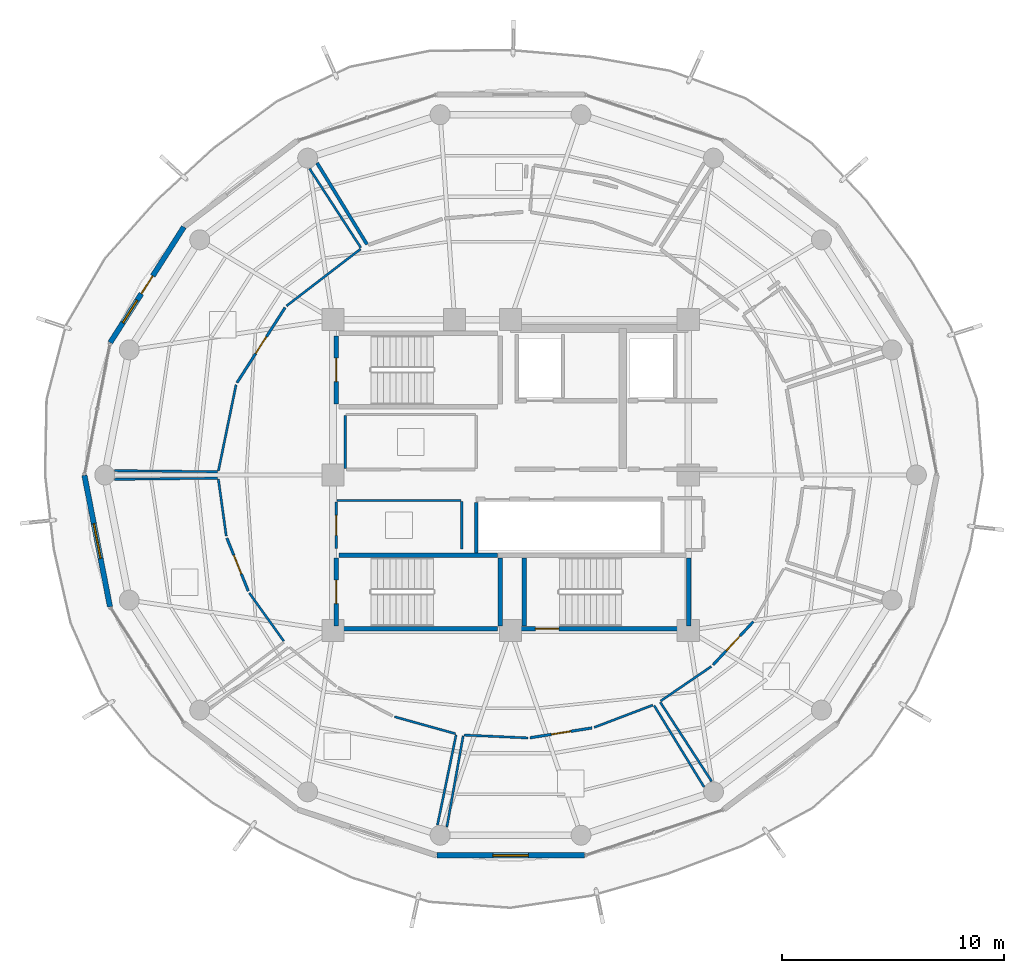
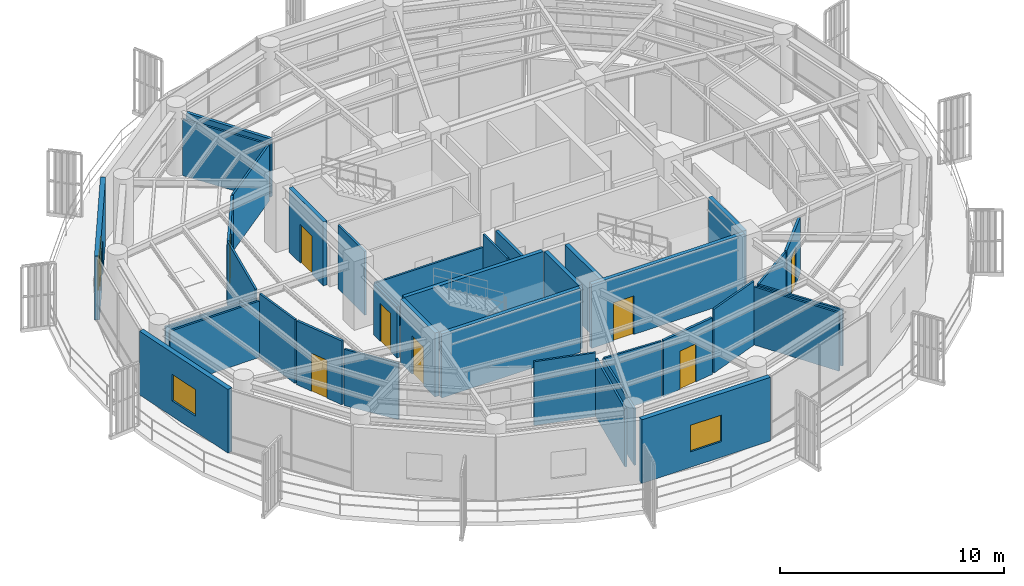
# One storey, part 15 of 22: 36 walls, 9 doors, 3 windows, 12 openings.
"""IFC4 building model written with IfcOpenShell, lengths in metres."""

from ifc_helpers import new_model, si_unit, direction, frame, frame_2d, origin, place, context, subcontext, project, spatial, rectangle, extrude, material, layer, layer_set, type_object, element, fill, save


model = new_model("IFC4")

# Units and contexts
model_context = context("Model", 3, precision=1e-05, world=origin(), true_north=direction((0.0, 1.0)))
body_context = subcontext(model_context, "Body", "Model", "MODEL_VIEW")
ifc_project = project(units=[si_unit("LENGTHUNIT", "METRE"), si_unit("AREAUNIT", "SQUARE_METRE"), si_unit("VOLUMEUNIT", "CUBIC_METRE"), si_unit("PLANEANGLEUNIT", "RADIAN"), si_unit("MASSUNIT", "GRAM", prefix="KILO")], contexts=[model_context])

# Site, building, storey
site_placement = place(None, origin())
site = spatial("IfcSite", under=ifc_project, at=site_placement, CompositionType="ELEMENT")
building_placement = place(site_placement, origin())
building = spatial("IfcBuilding", under=site, at=building_placement, Name="Kelanora Arch Commons", CompositionType="ELEMENT")
storey_placement = place(building_placement, frame((0.0, 0.0, 259.949951171875)))
storey = spatial("IfcBuildingStorey", under=building, at=storey_placement, Name="L66", CompositionType="ELEMENT", Elevation=259.949951171875)

# Walls
ifc_material_1 = material(Name="Autoclaved aerated concrete blockwork with fire plaster", Category="masonry")
ifc_layer_1 = layer(ifc_material_1, 0.14990234375)
ifc_layer_set_1 = layer_set([ifc_layer_1], Name="Autoclaved aerated concrete blockwork with fire plaster")
wall_type_1 = type_object("IfcWallType", Name="W-COMP-150", PredefinedType="PARTITIONING", material=ifc_layer_set_1)
wall_1_placement = place(storey_placement, frame((72.4599609375, 54.47998046875, 0.0), z_axis=(0.0, 0.0, 1.0), x_axis=(0.0, 1.0, 0.0)))
element("IfcWall", 1, at=wall_1_placement, inside=storey, type_object=wall_type_1, Name="South Lift Bank West Wall L66", PredefinedType="PARTITIONING", context=body_context, shape_type="SweptSolid", body=[
    extrude(rectangle(XDim=2.2900390625, YDim=0.14990234375, at=frame_2d((1.14501953125, 0.0))), origin(), (0.0, 0.0, 1.0), 3.47998046875),
])
wall_2_placement = place(storey_placement, frame((67.5341796875, 68.385009765625, 0.0), z_axis=(0.0, 0.0, 1.0), x_axis=(-0.522784059663, 0.852465147066, 0.0)))
element("IfcWall", 2, at=wall_2_placement, inside=storey, type_object=wall_type_1, Name="Co-Living Studio L66-02 Enclosure Partition 3", PredefinedType="PARTITIONING", context=body_context, shape_type="SweptSolid", body=[
    extrude(rectangle(XDim=4.30615234375, YDim=0.14990234375, at=frame_2d((2.153076171875, 0.0))), origin(), (0.0, 0.0, 1.0), 3.175048828125),
])

# Wall, openings, door, window
ifc_material_2 = material(Name="Precast concrete C40/50 upper-zone terracotta rainscreen", Category="masonry")
ifc_layer_2 = layer(ifc_material_2, 0.239990234375)
ifc_layer_set_2 = layer_set([ifc_layer_2], Name="Precast concrete C40/50 upper-zone terracotta rainscreen")
wall_type_2 = type_object("IfcWallType", Name="W-EXT-TC2", PredefinedType="SOLIDWALL", material=ifc_layer_set_2)
wall_3_placement = place(storey_placement, frame((59.28369140625, 69.171875, 0.0), z_axis=(0.0, 0.0, 1.0), x_axis=(-0.537271968456, -0.843409053728, 0.0)))
wall_3 = element("IfcWall", 3, at=wall_3_placement, inside=storey, type_object=wall_type_2, Name="Terracotta Exterior Wall L66-B07", PredefinedType="SOLIDWALL", context=body_context, shape_type="SweptSolid", body=[
    extrude(rectangle(XDim=6.175048828125, YDim=0.239990234375, at=frame_2d((3.08740234375, 0.0))), origin(), (0.0, 0.0, 1.0), 3.47509765625),
])
opening_1_placement = place(wall_3_placement, frame((2.613037109375, 0.0, 0.0)))
opening_1 = element("IfcOpeningElement", 4, at=opening_1_placement, cuts=wall_3, Name="Opening DB-01", PredefinedType="OPENING", context=body_context, shape_type="SweptSolid", body=[
    extrude(rectangle(XDim=0.949951171875, YDim=2.10009765625, at=frame_2d((0.47509765625, 1.050048828125))), frame((0.0, 0.1298828125, 0.0), z_axis=(0.0, -1.0, 0.0), x_axis=(1.0, 0.0, 0.0)), (0.0, 0.0, 1.0), 0.260009765625),
])
opening_2_placement = place(wall_3_placement, frame((3.9130859375, 0.0, 0.85009765625)))
opening_2 = element("IfcOpeningElement", 5, at=opening_2_placement, cuts=wall_3, Name="Opening WN-02", PredefinedType="OPENING", context=body_context, shape_type="SweptSolid", body=[
    extrude(rectangle(XDim=1.199951171875, YDim=1.449951171875, at=frame_2d((0.60009765625, 0.72509765625))), frame((0.0, 0.1298828125, 0.0), z_axis=(0.0, -1.0, 0.0), x_axis=(1.0, 0.0, 0.0)), (0.0, 0.0, 1.0), 0.260009765625),
])
ifc_material_3 = material(Name="Terracotta-aluminium thermally broken glazed balcony door", Category="masonry")
door_type_1 = type_object("IfcDoorType", Name="D-BAL-10", OperationType="NOTDEFINED", PredefinedType="DOOR", material=ifc_material_3)
door_1_placement = place(opening_1_placement, frame((0.949951171875, 0.0, 0.0), z_axis=(0.0, 0.0, 1.0), x_axis=(-1.0, 0.0, 0.0)))
door_1 = element("IfcDoor", 6, at=door_1_placement, inside=storey, type_object=door_type_1, Name="Wave Balcony Door L66-B07", OperationType="SINGLE_SWING_RIGHT", OverallHeight=2.10009765625, OverallWidth=0.949951171875, PredefinedType="DOOR", context=body_context, shape_type="SweptSolid", body=[
    extrude(rectangle(XDim=0.949951171875, YDim=2.10009765625, at=frame_2d((0.47509765625, 1.050048828125))), frame((0.0, 0.02490234375, 0.0), z_axis=(0.0, -1.0, 0.0), x_axis=(1.0, 0.0, 0.0)), (0.0, 0.0, 1.0), 0.050048828125),
])
fill(opening_1, door_1)
ifc_material_4 = material(Name="Terracotta-anodised aluminium frame with operable awning sash", Category="masonry")
window_type_1 = type_object("IfcWindowType", Name="WIN-CL-12", PartitioningType="SINGLE_PANEL", PredefinedType="WINDOW", material=ifc_material_4)
window_1_placement = place(opening_2_placement, origin())
window_1 = element("IfcWindow", 7, at=window_1_placement, inside=storey, type_object=window_type_1, Name="Co-Living Operable Window L66-B07", OverallHeight=1.449951171875, OverallWidth=1.199951171875, PartitioningType="SINGLE_PANEL", PredefinedType="WINDOW", context=body_context, shape_type="SweptSolid", body=[
    extrude(rectangle(XDim=1.199951171875, YDim=1.449951171875, at=frame_2d((0.60009765625, 0.72509765625))), frame((0.0, 0.030029296875, 0.0), z_axis=(0.0, -1.0, 0.0), x_axis=(1.0, 0.0, 0.0)), (0.0, 0.0, 1.0), 0.06005859375),
])
fill(opening_2, window_1)

# Wall, opening, window
wall_4_placement = place(storey_placement, frame((54.802978515625, 57.9853515625, 0.0), z_axis=(0.0, 0.0, 1.0), x_axis=(0.190969309115, -0.981596008028, 0.0)))
wall_4 = element("IfcWall", 8, at=wall_4_placement, inside=storey, type_object=wall_type_2, Name="Terracotta Exterior Wall L66-B09", PredefinedType="SOLIDWALL", context=body_context, shape_type="SweptSolid", body=[
    extrude(rectangle(XDim=6.032958984375, YDim=0.239990234375, at=frame_2d((3.0166015625, 0.0))), origin(), (0.0, 0.0, 1.0), 3.47509765625),
])
opening_3_placement = place(wall_4_placement, frame((2.216064453125, 0.0, 0.85009765625)))
opening_3 = element("IfcOpeningElement", 9, at=opening_3_placement, cuts=wall_4, Name="Opening WN-01", PredefinedType="OPENING", context=body_context, shape_type="SweptSolid", body=[
    extrude(rectangle(XDim=1.60009765625, YDim=1.449951171875, at=frame_2d((0.800048828125, 0.72509765625))), frame((0.0, 0.1298828125, 0.0), z_axis=(0.0, -1.0, 0.0), x_axis=(1.0, 0.0, 0.0)), (0.0, 0.0, 1.0), 0.260009765625),
])
ifc_material_5 = material(Name="Terracotta-anodised aluminium frame with operable low-E glazing", Category="masonry")
window_type_2 = type_object("IfcWindowType", Name="WIN-CL-18", PartitioningType="DOUBLE_PANEL_VERTICAL", PredefinedType="WINDOW", material=ifc_material_5)
window_2_placement = place(opening_3_placement, origin())
window_2 = element("IfcWindow", 10, at=window_2_placement, inside=storey, type_object=window_type_2, Name="Co-Living Operable Window L66-B09", OverallHeight=1.449951171875, OverallWidth=1.60009765625, PartitioningType="SINGLE_PANEL", PredefinedType="WINDOW", context=body_context, shape_type="SweptSolid", body=[
    extrude(rectangle(XDim=1.60009765625, YDim=1.449951171875, at=frame_2d((0.800048828125, 0.72509765625))), frame((0.0, 0.030029296875, 0.0), z_axis=(0.0, -1.0, 0.0), x_axis=(1.0, 0.0, 0.0)), (0.0, 0.0, 1.0), 0.06005859375),
])
fill(opening_3, window_2)

wall_5_placement = place(storey_placement, frame((70.680908203125, 40.8642578125, 0.0), z_axis=(0.0, 0.0, 1.0), x_axis=(1.0, 0.0, 0.0)))
wall_5 = element("IfcWall", 11, at=wall_5_placement, inside=storey, type_object=wall_type_2, Name="Terracotta Exterior Wall L66-B13", PredefinedType="SOLIDWALL", context=body_context, shape_type="SweptSolid", body=[
    extrude(rectangle(XDim=6.63818359375, YDim=0.239990234375, at=frame_2d((3.319091796875, 0.0))), origin(), (0.0, 0.0, 1.0), 3.47509765625),
])
opening_4_placement = place(wall_5_placement, frame((2.51904296875, 0.0, 0.85009765625)))
opening_4 = element("IfcOpeningElement", 12, at=opening_4_placement, cuts=wall_5, Name="Opening WN-01", PredefinedType="OPENING", context=body_context, shape_type="SweptSolid", body=[
    extrude(rectangle(XDim=1.60009765625, YDim=1.449951171875, at=frame_2d((0.800048828125, 0.72509765625))), frame((0.0, 0.1298828125, 0.0), z_axis=(0.0, -1.0, 0.0), x_axis=(1.0, 0.0, 0.0)), (0.0, 0.0, 1.0), 0.260009765625),
])
window_3_placement = place(opening_4_placement, origin())
window_3 = element("IfcWindow", 13, at=window_3_placement, inside=storey, type_object=window_type_2, Name="Co-Living Operable Window L66-B13", OverallHeight=1.449951171875, OverallWidth=1.60009765625, PartitioningType="SINGLE_PANEL", PredefinedType="WINDOW", context=body_context, shape_type="SweptSolid", body=[
    extrude(rectangle(XDim=1.60009765625, YDim=1.449951171875, at=frame_2d((0.800048828125, 0.72509765625))), frame((0.0, 0.030029296875, 0.0), z_axis=(0.0, -1.0, 0.0), x_axis=(1.0, 0.0, 0.0)), (0.0, 0.0, 1.0), 0.06005859375),
])
fill(opening_4, window_3)

# Walls
ifc_material_6 = material(Name="Lightweight fire-rated acoustic stud partition")
ifc_layer_3 = layer(ifc_material_6, 0.10009765625)
ifc_layer_set_3 = layer_set([ifc_layer_3], Name="Lightweight fire-rated acoustic stud partition")
wall_type_3 = type_object("IfcWallType", Name="W-PART-100", PredefinedType="PARTITIONING", material=ifc_layer_set_3)
wall_6_placement = place(storey_placement, frame((66.550048828125, 60.679931640625, 0.0), z_axis=(0.0, 0.0, 1.0), x_axis=(0.0, -1.0, 0.0)))
element("IfcWall", 14, at=wall_6_placement, inside=storey, type_object=wall_type_3, Name="Reclaimed Core Study Pod Lounge L66 Enclosure Partition 4", PredefinedType="PARTITIONING", context=body_context, shape_type="SweptSolid", body=[
    extrude(rectangle(XDim=2.389892578125, YDim=0.10009765625, at=frame_2d((1.19482421875, 0.0))), origin(), (0.0, 0.0, 1.0), 3.47998046875),
])
wall_7_placement = place(storey_placement, frame((71.800048828125, 54.659912109375, 0.0), z_axis=(0.0, 0.0, 1.0), x_axis=(0.0, 1.0, 0.0)))
element("IfcWall", 15, at=wall_7_placement, inside=storey, type_object=wall_type_3, Name="Reclaimed Core High-Zone Pantry and Copy Room L66 Enclosure Partition 2", PredefinedType="PARTITIONING", context=body_context, shape_type="SweptSolid", body=[
    extrude(rectangle(XDim=2.150146484375, YDim=0.10009765625, at=frame_2d((1.0751953125, 0.0))), origin(), (0.0, 0.0, 1.0), 3.47998046875),
])
wall_8_placement = place(storey_placement, frame((71.760009765625, 56.85009765625, 0.0), z_axis=(0.0, 0.0, 1.0), x_axis=(-1.0, 0.0, 0.0)))
element("IfcWall", 16, at=wall_8_placement, inside=storey, type_object=wall_type_3, Name="Reclaimed Core High-Zone Pantry and Copy Room L66 Enclosure Partition 3", PredefinedType="PARTITIONING", context=body_context, shape_type="SweptSolid", body=[
    extrude(rectangle(XDim=5.570068359375, YDim=0.10009765625, at=frame_2d((2.78515625, 0.0))), origin(), (0.0, 0.0, 1.0), 2.775146484375),
])
wall_9_placement = place(storey_placement, frame((67.244384765625, 68.181640625, 0.0), z_axis=(0.0, 0.0, 1.0), x_axis=(-0.792820246885, -0.609455540733, 0.0)))
element("IfcWall", 17, at=wall_9_placement, inside=storey, type_object=wall_type_3, Name="Communal Dining and Social Hall L66-03 Enclosure Partition 1", PredefinedType="PARTITIONING", context=body_context, shape_type="SweptSolid", body=[
    extrude(rectangle(XDim=4.207275390625, YDim=0.10009765625, at=frame_2d((2.103515625, 0.0))), origin(), (0.0, 0.0, 1.0), 3.074951171875),
])
wall_10_placement = place(storey_placement, frame((61.635009765625, 62.06591796875, 0.0), z_axis=(0.0, 0.0, 1.0), x_axis=(-0.200853183429, -0.979621354762, 0.0)))
element("IfcWall", 18, at=wall_10_placement, inside=storey, type_object=wall_type_3, Name="Communal Dining and Social Hall L66-03 Enclosure Partition 3", PredefinedType="PARTITIONING", context=body_context, shape_type="SweptSolid", body=[
    extrude(rectangle(XDim=3.962646484375, YDim=0.10009765625, at=frame_2d((1.9814453125, 0.0))), origin(), (0.0, 0.0, 1.0), 3.47998046875),
])
wall_11_placement = place(storey_placement, frame((60.791015625, 58.1455078125, 0.0), z_axis=(0.0, 0.0, 1.0), x_axis=(-0.999937174585, 0.01120923205, 0.0)))
element("IfcWall", 19, at=wall_11_placement, inside=storey, type_object=wall_type_3, Name="Communal Dining and Social Hall L66-03 Enclosure Partition 4", PredefinedType="PARTITIONING", context=body_context, shape_type="SweptSolid", body=[
    extrude(rectangle(XDim=4.63916015625, YDim=0.10009765625, at=frame_2d((2.319580078125, 0.0))), origin(), (0.0, 0.0, 1.0), 3.074951171875),
])
wall_12_placement = place(storey_placement, frame((64.941650390625, 71.80419921875, 0.0), z_axis=(0.0, 0.0, 1.0), x_axis=(0.544234825024, -0.838932926539, 0.0)))
element("IfcWall", 20, at=wall_12_placement, inside=storey, type_object=wall_type_3, Name="Communal Dining and Social Hall L66-03 Enclosure Partition 8", PredefinedType="PARTITIONING", context=body_context, shape_type="SweptSolid", body=[
    extrude(rectangle(XDim=4.2490234375, YDim=0.10009765625, at=frame_2d((2.12451171875, 0.0))), origin(), (0.0, 0.0, 1.0), 3.074951171875),
])
wall_13_placement = place(storey_placement, frame((60.83642578125, 57.8154296875, 0.0), z_axis=(0.0, 0.0, 1.0), x_axis=(0.137359832701, -0.990521214493, 0.0)))
element("IfcWall", 21, at=wall_13_placement, inside=storey, type_object=wall_type_3, Name="Social Sky Lounge L66-04 Enclosure Partition 1", PredefinedType="PARTITIONING", context=body_context, shape_type="SweptSolid", body=[
    extrude(rectangle(XDim=2.584228515625, YDim=0.10009765625, at=frame_2d((1.2919921875, 0.0))), origin(), (0.0, 0.0, 1.0), 3.47998046875),
])
wall_14_placement = place(storey_placement, frame((62.230224609375, 52.68359375, 0.0), z_axis=(0.0, 0.0, 1.0), x_axis=(0.582725386778, -0.812669135383, 0.0)))
element("IfcWall", 22, at=wall_14_placement, inside=storey, type_object=wall_type_3, Name="Social Sky Lounge L66-04 Enclosure Partition 3", PredefinedType="PARTITIONING", context=body_context, shape_type="SweptSolid", body=[
    extrude(rectangle(XDim=2.669189453125, YDim=0.10009765625, at=frame_2d((1.33447265625, 0.0))), origin(), (0.0, 0.0, 1.0), 3.074951171875),
])
wall_15_placement = place(storey_placement, frame((56.152099609375, 57.802490234375, 0.0), z_axis=(0.0, 0.0, 1.0), x_axis=(0.999937174585, 0.01120923205, 0.0)))
element("IfcWall", 23, at=wall_15_placement, inside=storey, type_object=wall_type_3, Name="Social Sky Lounge L66-04 Enclosure Partition 8", PredefinedType="PARTITIONING", context=body_context, shape_type="SweptSolid", body=[
    extrude(rectangle(XDim=4.63916015625, YDim=0.10009765625, at=frame_2d((2.319580078125, 0.0))), origin(), (0.0, 0.0, 1.0), 3.074951171875),
])
wall_16_placement = place(storey_placement, frame((68.7724609375, 47.109375, 0.0), z_axis=(0.0, 0.0, 1.0), x_axis=(0.963478601256, -0.267785333659, 0.0)))
element("IfcWall", 24, at=wall_16_placement, inside=storey, type_object=wall_type_3, Name="Social Sky Lounge L66-05 Enclosure Partition 3", PredefinedType="PARTITIONING", context=body_context, shape_type="SweptSolid", body=[
    extrude(rectangle(XDim=2.84814453125, YDim=0.10009765625, at=frame_2d((1.424072265625, 0.0))), origin(), (0.0, 0.0, 1.0), 3.47998046875),
])
wall_17_placement = place(storey_placement, frame((71.546875, 46.296875, 0.0), z_axis=(0.0, 0.0, 1.0), x_axis=(-0.202308141573, -0.979321916355, 0.0)))
element("IfcWall", 25, at=wall_17_placement, inside=storey, type_object=wall_type_3, Name="Social Sky Lounge L66-05 Enclosure Partition 4", PredefinedType="PARTITIONING", context=body_context, shape_type="SweptSolid", body=[
    extrude(rectangle(XDim=4.152587890625, YDim=0.10009765625, at=frame_2d((2.076171875, 0.0))), origin(), (0.0, 0.0, 1.0), 3.175048828125),
])
wall_18_placement = place(storey_placement, frame((71.912109375, 46.2841796875, 0.0), z_axis=(0.0, 0.0, 1.0), x_axis=(0.998983047325, -0.045087372484, 0.0)))
element("IfcWall", 26, at=wall_18_placement, inside=storey, type_object=wall_type_3, Name="Quiet Seminar Study Room L66-06 Enclosure Partition 1", PredefinedType="PARTITIONING", context=body_context, shape_type="SweptSolid", body=[
    extrude(rectangle(XDim=2.869873046875, YDim=0.10009765625, at=frame_2d((1.43505859375, 0.0))), origin(), (0.0, 0.0, 1.0), 3.074951171875),
])
wall_19_placement = place(storey_placement, frame((77.763427734375, 46.629150390625, 0.0), z_axis=(0.0, 0.0, 1.0), x_axis=(0.934691278896, 0.355460564839, 0.0)))
element("IfcWall", 27, at=wall_19_placement, inside=storey, type_object=wall_type_3, Name="Quiet Seminar Study Room L66-06 Enclosure Partition 3", PredefinedType="PARTITIONING", context=body_context, shape_type="SweptSolid", body=[
    extrude(rectangle(XDim=2.8291015625, YDim=0.10009765625, at=frame_2d((1.41455078125, 0.0))), origin(), (0.0, 0.0, 1.0), 3.47998046875),
])
wall_20_placement = place(storey_placement, frame((80.4658203125, 47.614990234375, 0.0), z_axis=(0.0, 0.0, 1.0), x_axis=(0.522784059663, -0.852465147066, 0.0)))
element("IfcWall", 28, at=wall_20_placement, inside=storey, type_object=wall_type_3, Name="Quiet Seminar Study Room L66-06 Enclosure Partition 4", PredefinedType="PARTITIONING", context=body_context, shape_type="SweptSolid", body=[
    extrude(rectangle(XDim=4.30615234375, YDim=0.10009765625, at=frame_2d((2.153076171875, 0.0))), origin(), (0.0, 0.0, 1.0), 3.175048828125),
])
wall_21_placement = place(storey_placement, frame((71.129150390625, 42.1357421875, 0.0), z_axis=(0.0, 0.0, 1.0), x_axis=(0.176199339585, 0.984354505618, 0.0)))
element("IfcWall", 29, at=wall_21_placement, inside=storey, type_object=wall_type_3, Name="Quiet Seminar Study Room L66-06 Enclosure Partition 8", PredefinedType="PARTITIONING", context=body_context, shape_type="SweptSolid", body=[
    extrude(rectangle(XDim=4.17626953125, YDim=0.10009765625, at=frame_2d((2.088134765625, 0.0))), origin(), (0.0, 0.0, 1.0), 3.074951171875),
])
wall_22_placement = place(storey_placement, frame((80.757080078125, 47.81640625, 0.0), z_axis=(0.0, 0.0, 1.0), x_axis=(0.826087380575, 0.563542047814, 0.0)))
element("IfcWall", 30, at=wall_22_placement, inside=storey, type_object=wall_type_3, Name="Communal Dining and Social Hall L66-07 Enclosure Partition 1", PredefinedType="PARTITIONING", context=body_context, shape_type="SweptSolid", body=[
    extrude(rectangle(XDim=2.768310546875, YDim=0.10009765625, at=frame_2d((1.38427734375, 0.0))), origin(), (0.0, 0.0, 1.0), 3.074951171875),
])
wall_23_placement = place(storey_placement, frame((83.058349609375, 44.19580078125, 0.0), z_axis=(0.0, 0.0, 1.0), x_axis=(-0.544234825024, 0.838932926539, 0.0)))
element("IfcWall", 31, at=wall_23_placement, inside=storey, type_object=wall_type_3, Name="Communal Dining and Social Hall L66-07 Enclosure Partition 8", PredefinedType="PARTITIONING", context=body_context, shape_type="SweptSolid", body=[
    extrude(rectangle(XDim=4.2490234375, YDim=0.10009765625, at=frame_2d((2.12451171875, 0.0))), origin(), (0.0, 0.0, 1.0), 3.074951171875),
])

# Wall, opening, door
ifc_material_7 = material(Name="Acoustic twin-stud fire-rated gypsum partition")
ifc_layer_4 = layer(ifc_material_7, 0.1201171875)
ifc_layer_set_4 = layer_set([ifc_layer_4], Name="Acoustic twin-stud fire-rated gypsum partition")
wall_type_4 = type_object("IfcWallType", Name="W-PART-120", PredefinedType="PARTITIONING", material=ifc_layer_set_4)
wall_24_placement = place(storey_placement, frame((66.14990234375, 54.679931640625, 0.0), z_axis=(0.0, 0.0, 1.0), x_axis=(0.0, 1.0, 0.0)))
wall_24 = element("IfcWall", 32, at=wall_24_placement, inside=storey, type_object=wall_type_4, Name="Reclaimed Core High-Zone Pantry and Copy Room L66 Entry Partition", PredefinedType="PARTITIONING", context=body_context, shape_type="SweptSolid", body=[
    extrude(rectangle(XDim=2.110107421875, YDim=0.1201171875, at=frame_2d((1.05517578125, 0.0))), origin(), (0.0, 0.0, 1.0), 2.775146484375),
])
opening_5_placement = place(wall_24_placement, frame((0.60498046875, 0.0, 0.0)))
opening_5 = element("IfcOpeningElement", 33, at=opening_5_placement, cuts=wall_24, Name="Opening D-RM1", PredefinedType="OPENING", context=body_context, shape_type="SweptSolid", body=[
    extrude(rectangle(XDim=0.89990234375, YDim=2.080078125, at=frame_2d((0.449951171875, 1.0400390625))), frame((0.0, 0.070068359375, 0.0), z_axis=(0.0, -1.0, 0.0), x_axis=(1.0, 0.0, 0.0)), (0.0, 0.0, 1.0), 0.14013671875),
])
ifc_material_8 = material(Name="Acoustic fire-rated timber study and lounge door", Category="wood")
door_type_2 = type_object("IfcDoorType", Name="D-ROOM-90", OperationType="NOTDEFINED", PredefinedType="DOOR", material=ifc_material_8)
door_2_placement = place(opening_5_placement, origin())
door_2 = element("IfcDoor", 34, at=door_2_placement, inside=storey, type_object=door_type_2, Name="Reclaimed Core High-Zone Pantry and Copy Room L66 Door", OperationType="SINGLE_SWING_RIGHT", OverallHeight=2.080078125, OverallWidth=0.89990234375, PredefinedType="DOOR", context=body_context, shape_type="SweptSolid", body=[
    extrude(rectangle(XDim=0.89990234375, YDim=2.080078125, at=frame_2d((0.449951171875, 1.0400390625))), frame((0.0, 0.02490234375, 0.0), z_axis=(0.0, -1.0, 0.0), x_axis=(1.0, 0.0, 0.0)), (0.0, 0.0, 1.0), 0.050048828125),
])
fill(opening_5, door_2)

wall_25_placement = place(storey_placement, frame((63.844482421875, 65.54248046875, 0.0), z_axis=(0.0, 0.0, 1.0), x_axis=(-0.539324099435, -0.842098281538, 0.0)))
wall_25 = element("IfcWall", 35, at=wall_25_placement, inside=storey, type_object=wall_type_4, Name="Communal Dining and Social Hall L66-03 Entry Partition", PredefinedType="PARTITIONING", context=body_context, shape_type="SweptSolid", body=[
    extrude(rectangle(XDim=4.02197265625, YDim=0.1201171875, at=frame_2d((2.010986328125, 0.0))), origin(), (0.0, 0.0, 1.0), 3.074951171875),
])
opening_6_placement = place(wall_25_placement, frame((1.56103515625, 0.0, 0.0)))
opening_6 = element("IfcOpeningElement", 36, at=opening_6_placement, cuts=wall_25, Name="Opening D-RM1", PredefinedType="OPENING", context=body_context, shape_type="SweptSolid", body=[
    extrude(rectangle(XDim=0.89990234375, YDim=2.080078125, at=frame_2d((0.449951171875, 1.0400390625))), frame((0.0, 0.070068359375, 0.0), z_axis=(0.0, -1.0, 0.0), x_axis=(1.0, 0.0, 0.0)), (0.0, 0.0, 1.0), 0.14013671875),
])
door_3_placement = place(opening_6_placement, origin())
door_3 = element("IfcDoor", 37, at=door_3_placement, inside=storey, type_object=door_type_2, Name="Communal Dining and Social Hall L66-03 Door", OperationType="SINGLE_SWING_LEFT", OverallHeight=2.080078125, OverallWidth=0.89990234375, PredefinedType="DOOR", context=body_context, shape_type="SweptSolid", body=[
    extrude(rectangle(XDim=0.89990234375, YDim=2.080078125, at=frame_2d((0.449951171875, 1.0400390625))), frame((0.0, 0.02490234375, 0.0), z_axis=(0.0, -1.0, 0.0), x_axis=(1.0, 0.0, 0.0)), (0.0, 0.0, 1.0), 0.050048828125),
])
fill(opening_6, door_3)

wall_26_placement = place(storey_placement, frame((61.219482421875, 55.160400390625, 0.0), z_axis=(0.0, 0.0, 1.0), x_axis=(0.374574284654, -0.927196907499, 0.0)))
wall_26 = element("IfcWall", 38, at=wall_26_placement, inside=storey, type_object=wall_type_4, Name="Social Sky Lounge L66-04 Entry Partition", PredefinedType="PARTITIONING", context=body_context, shape_type="SweptSolid", body=[
    extrude(rectangle(XDim=2.576416015625, YDim=0.1201171875, at=frame_2d((1.2880859375, 0.0))), origin(), (0.0, 0.0, 1.0), 3.47998046875),
])
opening_7_placement = place(wall_26_placement, frame((0.837890625, 0.0, 0.0)))
opening_7 = element("IfcOpeningElement", 39, at=opening_7_placement, cuts=wall_26, Name="Opening D-RM1", PredefinedType="OPENING", context=body_context, shape_type="SweptSolid", body=[
    extrude(rectangle(XDim=0.89990234375, YDim=2.080078125, at=frame_2d((0.449951171875, 1.0400390625))), frame((0.0, 0.070068359375, 0.0), z_axis=(0.0, -1.0, 0.0), x_axis=(1.0, 0.0, 0.0)), (0.0, 0.0, 1.0), 0.14013671875),
])
door_4_placement = place(opening_7_placement, origin())
door_4 = element("IfcDoor", 40, at=door_4_placement, inside=storey, type_object=door_type_2, Name="Social Sky Lounge L66-04 Door", OperationType="SINGLE_SWING_RIGHT", OverallHeight=2.080078125, OverallWidth=0.89990234375, PredefinedType="DOOR", context=body_context, shape_type="SweptSolid", body=[
    extrude(rectangle(XDim=0.89990234375, YDim=2.080078125, at=frame_2d((0.449951171875, 1.0400390625))), frame((0.0, 0.02490234375, 0.0), z_axis=(0.0, -1.0, 0.0), x_axis=(1.0, 0.0, 0.0)), (0.0, 0.0, 1.0), 0.050048828125),
])
fill(opening_7, door_4)

wall_27_placement = place(storey_placement, frame((74.87841796875, 46.162353515625, 0.0), z_axis=(0.0, 0.0, 1.0), x_axis=(0.987593415231, 0.157032627796, 0.0)))
wall_27 = element("IfcWall", 41, at=wall_27_placement, inside=storey, type_object=wall_type_4, Name="Quiet Seminar Study Room L66-06 Entry Partition", PredefinedType="PARTITIONING", context=body_context, shape_type="SweptSolid", body=[
    extrude(rectangle(XDim=2.8232421875, YDim=0.1201171875, at=frame_2d((1.41162109375, 0.0))), origin(), (0.0, 0.0, 1.0), 3.074951171875),
])
opening_8_placement = place(wall_27_placement, frame((0.9619140625, 0.0, 0.0)))
opening_8 = element("IfcOpeningElement", 42, at=opening_8_placement, cuts=wall_27, Name="Opening D-RM1", PredefinedType="OPENING", context=body_context, shape_type="SweptSolid", body=[
    extrude(rectangle(XDim=0.89990234375, YDim=2.080078125, at=frame_2d((0.449951171875, 1.0400390625))), frame((0.0, 0.070068359375, 0.0), z_axis=(0.0, -1.0, 0.0), x_axis=(1.0, 0.0, 0.0)), (0.0, 0.0, 1.0), 0.14013671875),
])
door_5_placement = place(opening_8_placement, origin())
door_5 = element("IfcDoor", 43, at=door_5_placement, inside=storey, type_object=door_type_2, Name="Quiet Seminar Study Room L66-06 Door", OperationType="SINGLE_SWING_RIGHT", OverallHeight=2.080078125, OverallWidth=0.89990234375, PredefinedType="DOOR", context=body_context, shape_type="SweptSolid", body=[
    extrude(rectangle(XDim=0.89990234375, YDim=2.080078125, at=frame_2d((0.449951171875, 1.0400390625))), frame((0.0, 0.02490234375, 0.0), z_axis=(0.0, -1.0, 0.0), x_axis=(1.0, 0.0, 0.0)), (0.0, 0.0, 1.0), 0.050048828125),
])
fill(opening_8, door_5)

wall_28_placement = place(storey_placement, frame((83.117919921875, 49.44287109375, 0.0), z_axis=(0.0, 0.0, 1.0), x_axis=(0.681315269885, 0.731990097625, 0.0)))
wall_28 = element("IfcWall", 44, at=wall_28_placement, inside=storey, type_object=wall_type_4, Name="Communal Dining and Social Hall L66-07 Entry Partition", PredefinedType="PARTITIONING", context=body_context, shape_type="SweptSolid", body=[
    extrude(rectangle(XDim=2.664306640625, YDim=0.1201171875, at=frame_2d((1.33203125, 0.0))), origin(), (0.0, 0.0, 1.0), 3.074951171875),
])
opening_9_placement = place(wall_28_placement, frame((0.882080078125, 0.0, 0.0)))
opening_9 = element("IfcOpeningElement", 45, at=opening_9_placement, cuts=wall_28, Name="Opening D-RM1", PredefinedType="OPENING", context=body_context, shape_type="SweptSolid", body=[
    extrude(rectangle(XDim=0.89990234375, YDim=2.080078125, at=frame_2d((0.449951171875, 1.0400390625))), frame((0.0, 0.070068359375, 0.0), z_axis=(0.0, -1.0, 0.0), x_axis=(1.0, 0.0, 0.0)), (0.0, 0.0, 1.0), 0.14013671875),
])
door_6_placement = place(opening_9_placement, origin())
door_6 = element("IfcDoor", 46, at=door_6_placement, inside=storey, type_object=door_type_2, Name="Communal Dining and Social Hall L66-07 Door", OperationType="SINGLE_SWING_LEFT", OverallHeight=2.080078125, OverallWidth=0.89990234375, PredefinedType="DOOR", context=body_context, shape_type="SweptSolid", body=[
    extrude(rectangle(XDim=0.89990234375, YDim=2.080078125, at=frame_2d((0.449951171875, 1.0400390625))), frame((0.0, 0.02490234375, 0.0), z_axis=(0.0, -1.0, 0.0), x_axis=(1.0, 0.0, 0.0)), (0.0, 0.0, 1.0), 0.050048828125),
])
fill(opening_9, door_6)

ifc_material_9 = material(Name="Concrete C40/50", Category="concrete")
ifc_layer_5 = layer(ifc_material_9, 0.199951171875)
ifc_layer_set_5 = layer_set([ifc_layer_5], Name="Concrete C40/50")
wall_type_5 = type_object("IfcWallType", Name="W-STAIR-200", PredefinedType="SHEAR", material=ifc_layer_set_5)
wall_29_placement = place(storey_placement, frame((66.139892578125, 64.27001953125, 0.0), z_axis=(0.0, 0.0, 1.0), x_axis=(0.0, -1.0, 0.0)))
wall_29 = element("IfcWall", 47, at=wall_29_placement, inside=storey, type_object=wall_type_5, Name="Stair ST-T1 Shaft Wall W L66", PredefinedType="SHEAR", context=body_context, shape_type="SweptSolid", body=[
    extrude(rectangle(XDim=3.070068359375, YDim=0.199951171875, at=frame_2d((1.53515625, 0.0))), origin(), (0.0, 0.0, 1.0), 3.489990234375),
])
opening_10_placement = place(wall_29_placement, frame((1.010009765625, 0.0, 0.0)))
opening_10 = element("IfcOpeningElement", 48, at=opening_10_placement, cuts=wall_29, Name="Opening D-ST1", PredefinedType="OPENING", context=body_context, shape_type="SweptSolid", body=[
    extrude(rectangle(XDim=1.050048828125, YDim=2.10009765625, at=frame_2d((0.52490234375, 1.050048828125))), frame((0.0, 0.10986328125, 0.0), z_axis=(0.0, -1.0, 0.0), x_axis=(1.0, 0.0, 0.0)), (0.0, 0.0, 1.0), 0.219970703125),
])
ifc_material_10 = material(Name="Steel fire-rated stairwell escape door", Category="steel")
door_type_3 = type_object("IfcDoorType", Name="D-STAIR-110", OperationType="NOTDEFINED", PredefinedType="DOOR", material=ifc_material_10)
door_7_placement = place(opening_10_placement, origin())
door_7 = element("IfcDoor", 49, at=door_7_placement, inside=storey, type_object=door_type_3, Name="Stair ST-T1 Escape Door L66", OperationType="SINGLE_SWING_LEFT", OverallHeight=2.10009765625, OverallWidth=1.050048828125, PredefinedType="DOOR", context=body_context, shape_type="SweptSolid", body=[
    extrude(rectangle(XDim=1.050048828125, YDim=2.10009765625, at=frame_2d((0.52490234375, 1.050048828125))), frame((0.0, 0.02490234375, 0.0), z_axis=(0.0, -1.0, 0.0), x_axis=(1.0, 0.0, 0.0)), (0.0, 0.0, 1.0), 0.050048828125),
])
fill(opening_10, door_7)

wall_30_placement = place(storey_placement, frame((74.0, 51.080078125, 0.0), z_axis=(0.0, 0.0, 1.0), x_axis=(1.0, 0.0, 0.0)))
wall_30 = element("IfcWall", 50, at=wall_30_placement, inside=storey, type_object=wall_type_5, Name="Stair ST-T2 Shaft Wall S L66", PredefinedType="SHEAR", context=body_context, shape_type="SweptSolid", body=[
    extrude(rectangle(XDim=7.89990234375, YDim=0.199951171875, at=frame_2d((3.949951171875, 0.0))), origin(), (0.0, 0.0, 1.0), 3.489990234375),
])
opening_11_placement = place(wall_30_placement, frame((1.1201171875, 0.0, 0.0)))
opening_11 = element("IfcOpeningElement", 51, at=opening_11_placement, cuts=wall_30, Name="Opening D-ST1", PredefinedType="OPENING", context=body_context, shape_type="SweptSolid", body=[
    extrude(rectangle(XDim=1.050048828125, YDim=2.10009765625, at=frame_2d((0.52490234375, 1.050048828125))), frame((0.0, 0.10986328125, 0.0), z_axis=(0.0, -1.0, 0.0), x_axis=(1.0, 0.0, 0.0)), (0.0, 0.0, 1.0), 0.219970703125),
])
door_8_placement = place(opening_11_placement, origin())
door_8 = element("IfcDoor", 52, at=door_8_placement, inside=storey, type_object=door_type_3, Name="Stair ST-T2 Escape Door L66", OperationType="SINGLE_SWING_LEFT", OverallHeight=2.10009765625, OverallWidth=1.050048828125, PredefinedType="DOOR", context=body_context, shape_type="SweptSolid", body=[
    extrude(rectangle(XDim=1.050048828125, YDim=2.10009765625, at=frame_2d((0.52490234375, 1.050048828125))), frame((0.0, 0.02490234375, 0.0), z_axis=(0.0, -1.0, 0.0), x_axis=(1.0, 0.0, 0.0)), (0.0, 0.0, 1.0), 0.050048828125),
])
fill(opening_11, door_8)

# Walls
for number, where, z_axis, x_axis, name in (
    (53, (82.02001953125, 51.199951171875, 0.0), (0.0, 0.0, 1.0), (0.0, 1.0, 0.0), "Stair ST-T2 Shaft Wall E L66"),
    (54, (74.6201171875, 54.27001953125, 0.0), (0.0, 0.0, 1.0), (0.0, -1.0, 0.0), "Stair ST-T2 Shaft Wall W L66"),
):
    element("IfcWall", number, at=place(storey_placement, frame(where, z_axis=z_axis, x_axis=x_axis)), inside=storey, type_object=wall_type_5, Name=name, PredefinedType="SHEAR", context=body_context, shape_type="SweptSolid", body=[
        extrude(rectangle(XDim=3.070068359375, YDim=0.199951171875, at=frame_2d((1.53515625, 0.0))), origin(), (0.0, 0.0, 1.0), 3.489990234375),
    ])
wall_31_placement = place(storey_placement, frame((66.260009765625, 51.080078125, 0.0), z_axis=(0.0, 0.0, 1.0), x_axis=(1.0, 0.0, 0.0)))
element("IfcWall", 55, at=wall_31_placement, inside=storey, type_object=wall_type_5, Name="Stair ST-T3 Shaft Wall S L66", PredefinedType="SHEAR", context=body_context, shape_type="SweptSolid", body=[
    extrude(rectangle(XDim=7.159912109375, YDim=0.199951171875, at=frame_2d((3.580078125, 0.0))), origin(), (0.0, 0.0, 1.0), 3.489990234375),
])
wall_32_placement = place(storey_placement, frame((73.5400390625, 51.199951171875, 0.0), z_axis=(0.0, 0.0, 1.0), x_axis=(0.0, 1.0, 0.0)))
element("IfcWall", 56, at=wall_32_placement, inside=storey, type_object=wall_type_5, Name="Stair ST-T3 Shaft Wall E L66", PredefinedType="SHEAR", context=body_context, shape_type="SweptSolid", body=[
    extrude(rectangle(XDim=3.070068359375, YDim=0.199951171875, at=frame_2d((1.53515625, 0.0))), origin(), (0.0, 0.0, 1.0), 3.489990234375),
])
wall_33_placement = place(storey_placement, frame((73.419921875, 54.389892578125, 0.0), z_axis=(0.0, 0.0, 1.0), x_axis=(-1.0, 0.0, 0.0)))
element("IfcWall", 57, at=wall_33_placement, inside=storey, type_object=wall_type_5, Name="Stair ST-T3 Shaft Wall N L66", PredefinedType="SHEAR", context=body_context, shape_type="SweptSolid", body=[
    extrude(rectangle(XDim=7.159912109375, YDim=0.199951171875, at=frame_2d((3.580078125, 0.0))), origin(), (0.0, 0.0, 1.0), 3.489990234375),
])

# Wall, opening, door
wall_34_placement = place(storey_placement, frame((66.139892578125, 54.27001953125, 0.0), z_axis=(0.0, 0.0, 1.0), x_axis=(0.0, -1.0, 0.0)))
wall_34 = element("IfcWall", 58, at=wall_34_placement, inside=storey, type_object=wall_type_5, Name="Stair ST-T3 Shaft Wall W L66", PredefinedType="SHEAR", context=body_context, shape_type="SweptSolid", body=[
    extrude(rectangle(XDim=3.070068359375, YDim=0.199951171875, at=frame_2d((1.53515625, 0.0))), origin(), (0.0, 0.0, 1.0), 3.489990234375),
])
opening_12_placement = place(wall_34_placement, frame((1.010009765625, 0.0, 0.0)))
opening_12 = element("IfcOpeningElement", 59, at=opening_12_placement, cuts=wall_34, Name="Opening D-ST1", PredefinedType="OPENING", context=body_context, shape_type="SweptSolid", body=[
    extrude(rectangle(XDim=1.050048828125, YDim=2.10009765625, at=frame_2d((0.52490234375, 1.050048828125))), frame((0.0, 0.10986328125, 0.0), z_axis=(0.0, -1.0, 0.0), x_axis=(1.0, 0.0, 0.0)), (0.0, 0.0, 1.0), 0.219970703125),
])
door_9_placement = place(opening_12_placement, origin())
door_9 = element("IfcDoor", 60, at=door_9_placement, inside=storey, type_object=door_type_3, Name="Stair ST-T3 Escape Door L66", OperationType="SINGLE_SWING_LEFT", OverallHeight=2.10009765625, OverallWidth=1.050048828125, PredefinedType="DOOR", context=body_context, shape_type="SweptSolid", body=[
    extrude(rectangle(XDim=1.050048828125, YDim=2.10009765625, at=frame_2d((0.52490234375, 1.050048828125))), frame((0.0, 0.02490234375, 0.0), z_axis=(0.0, -1.0, 0.0), x_axis=(1.0, 0.0, 0.0)), (0.0, 0.0, 1.0), 0.050048828125),
])
fill(opening_12, door_9)

save(model, "model.ifc")
